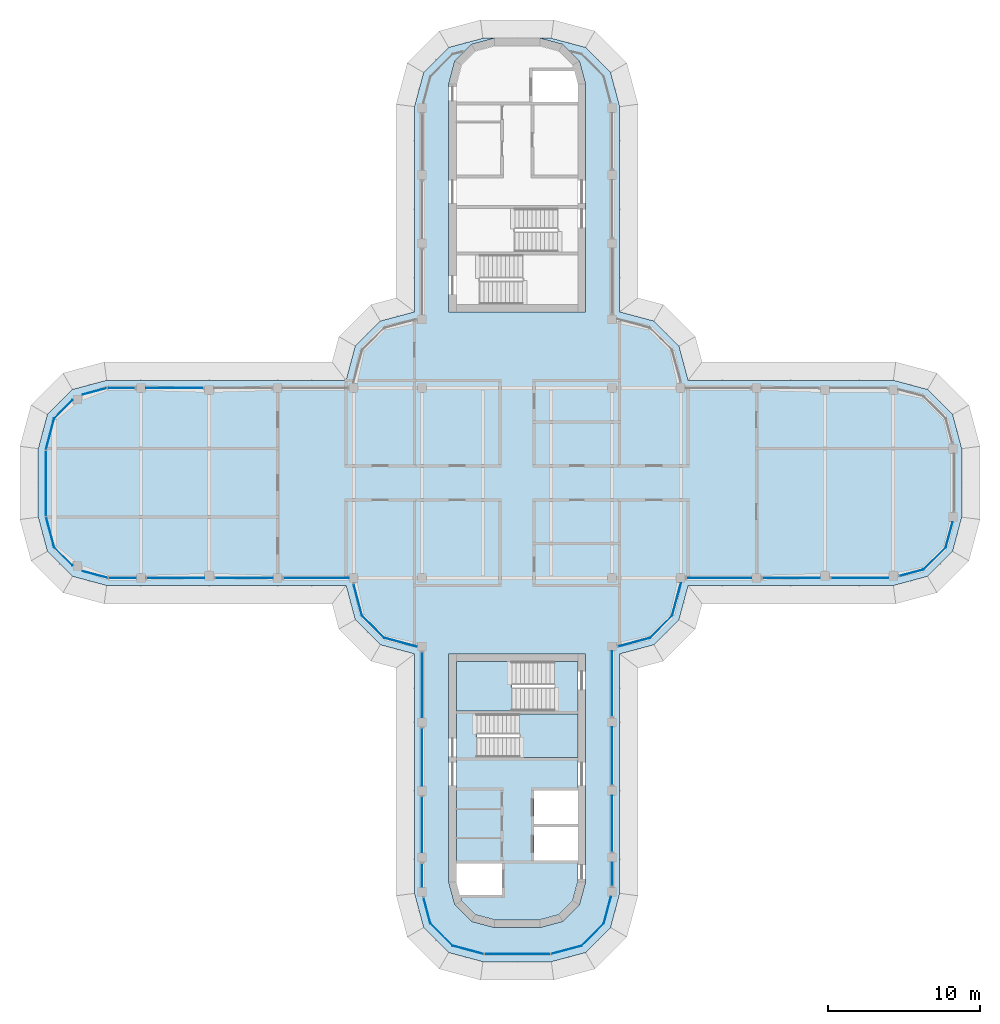
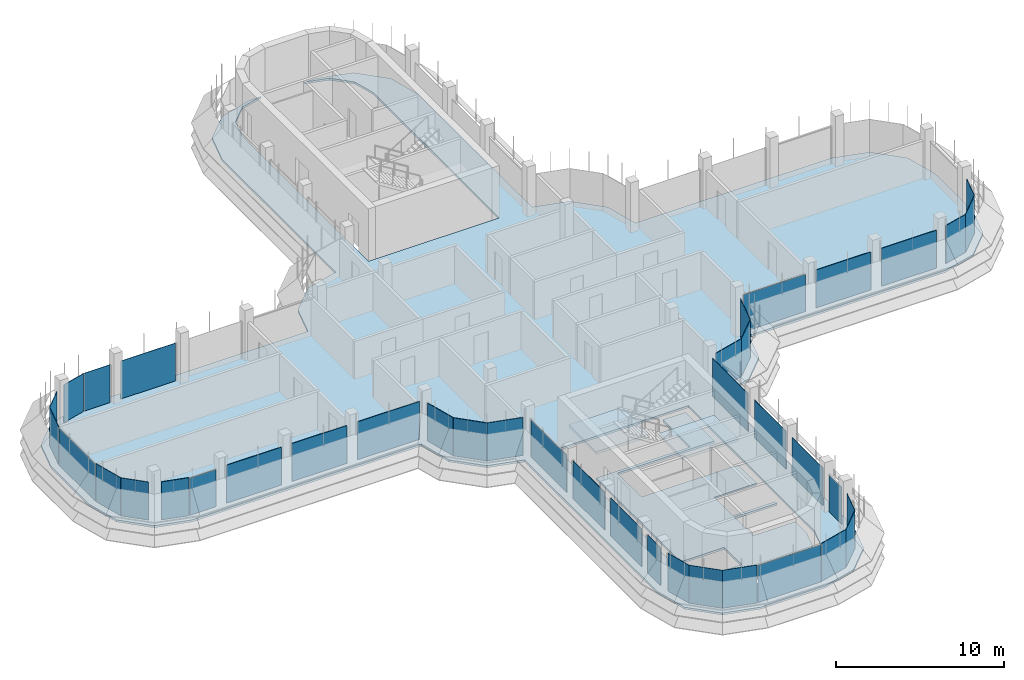
# One storey, part 11 of 19: 40 plates, 4 slabs, 30 elements without a shape of their own.
"""IFC4 building model written with IfcOpenShell, lengths in metres."""

from ifc_helpers import new_model, si_unit, direction, frame, origin, place, context, subcontext, project, spatial, polyline, outline, extrude, source, transform, mapped, material, layer, layer_set, type_object, element, aggregate, save


model = new_model("IFC4")

# Units and contexts
model_context = context("Model", 3, precision=1e-05, world=origin(), true_north=direction((0.0, 1.0)))
body_context = subcontext(model_context, "Body", "Model", "MODEL_VIEW")
ifc_project = project(units=[si_unit("LENGTHUNIT", "METRE"), si_unit("AREAUNIT", "SQUARE_METRE"), si_unit("VOLUMEUNIT", "CUBIC_METRE"), si_unit("PLANEANGLEUNIT", "RADIAN"), si_unit("MASSUNIT", "GRAM", prefix="KILO")], contexts=[model_context])

# Site, building, storey
site_placement = place(None, origin())
site = spatial("IfcSite", under=ifc_project, at=site_placement, CompositionType="ELEMENT")
building_placement = place(site_placement, origin())
building = spatial("IfcBuilding", under=site, at=building_placement, Name="Zarbagh Exchange Tower", CompositionType="ELEMENT")
storey_placement = place(building_placement, frame((0.0, 0.0, 272.60009765625)))
storey = spatial("IfcBuildingStorey", under=building, at=storey_placement, Name="L67", CompositionType="ELEMENT", Elevation=272.60009765625)

# Slabs
ifc_material_1 = material(Name="Concrete C40/50", Category="concrete")
ifc_layer_1 = layer(ifc_material_1, 0.14990234375)
ifc_layer_set_1 = layer_set([ifc_layer_1], Name="Composite floor slab 150 C40/50")
slab_type_1 = type_object("IfcSlabType", Name="Composite floor slab 150 C40/50", PredefinedType="FLOOR", material=ifc_layer_set_1)
slab_1_placement = place(storey_placement, frame((0.0, 0.0, -0.150146484375)))
element("IfcSlab", 1, at=slab_1_placement, inside=storey, type_object=slab_type_1, Name="S5 composite floor slab", PredefinedType="FLOOR", context=body_context, shape_type="SweptSolid", body=[
    extrude(outline(polyline([(-2.25, -31.5), (-4.5, -30.897216796875), (-6.147216796875, -29.25), (-6.75, -27.0), (-6.75, -11.25), (-9.0, -10.647216796875), (-10.647216796875, -9.0), (-11.25, -6.75), (-27.0, -6.75), (-29.25, -6.147216796875), (-30.897216796875, -4.5), (-31.5, -2.25), (-31.5, 2.25), (-30.897216796875, 4.5), (-29.25, 6.147216796875), (-27.0, 6.75), (-11.25, 6.75), (-10.647216796875, 9.0), (-9.0, 10.647216796875), (-6.75, 11.25), (-6.75, 24.75), (-6.147216796875, 27.0), (-4.5, 28.647216796875), (-2.25, 29.25), (-1.5, 29.25), (-3.0, 28.84814453125), (-4.09814453125, 27.75), (-4.5, 26.25), (-4.5, 11.25), (4.5, 11.25), (4.5, 26.25), (4.09814453125, 27.75), (3.0, 28.84814453125), (1.5, 29.25), (2.25, 29.25), (4.5, 28.647216796875), (6.147216796875, 27.0), (6.75, 24.75), (6.75, 11.25), (9.0, 10.647216796875), (10.647216796875, 9.0), (11.25, 6.75), (24.75, 6.75), (27.0, 6.147216796875), (28.647216796875, 4.5), (29.25, 2.25), (29.25, -2.25), (28.647216796875, -4.5), (27.0, -6.147216796875), (24.75, -6.75), (11.25, -6.75), (10.647216796875, -9.0), (9.0, -10.647216796875), (6.75, -11.25), (6.75, -27.0), (6.147216796875, -29.25), (4.5, -30.897216796875), (2.25, -31.5), (-2.25, -31.5)]), holes=[polyline([(-1.5, -29.25), (1.5, -29.25), (3.0, -28.84814453125), (4.09814453125, -27.75), (4.5, -26.25), (4.5, -11.25), (-4.5, -11.25), (-4.5, -26.25), (-4.09814453125, -27.75), (-3.0, -28.84814453125), (-1.5, -29.25)])]), origin(), (0.0, 0.0, 1.0), 0.150146484375),
])
ifc_layer_2 = layer(ifc_material_1, 0.14990234375)
ifc_layer_set_2 = layer_set([ifc_layer_2], Name="Core floor slab 150 C40/50")
slab_type_2 = type_object("IfcSlabType", Name="Core floor slab 150 C40/50", PredefinedType="FLOOR", material=ifc_layer_set_2)
slab_2_placement = place(storey_placement, frame((0.0, 0.0, -0.150146484375)))
element("IfcSlab", 2, at=slab_2_placement, inside=storey, type_object=slab_type_2, Name="S17 core S", PredefinedType="FLOOR", context=body_context, shape_type="SweptSolid", body=[
    extrude(outline(polyline([(-2.7412109375, -28.39990234375), (-3.64990234375, -27.4912109375), (-3.857666015625, -26.715087890625), (-3.754638671875, -27.10009765625), (-1.0, -27.10009765625), (-1.0, -25.050048828125), (-4.0, -25.050048828125), (-4.0, -15.0), (2.449951171875, -15.0), (2.449951171875, -11.75), (4.0, -11.75), (4.0, -15.199951171875), (-2.64990234375, -15.199951171875), (-2.64990234375, -18.050048828125), (4.0, -18.050048828125), (4.0, -20.25), (1.10009765625, -20.25), (1.10009765625, -22.449951171875), (4.0, -22.449951171875), (4.0, -22.64990234375), (1.10009765625, -22.64990234375), (1.10009765625, -24.85009765625), (4.0, -24.85009765625), (4.0, -26.18408203125), (3.64990234375, -27.4912109375), (2.7412109375, -28.39990234375), (1.43408203125, -28.75), (-1.43408203125, -28.75), (-2.7412109375, -28.39990234375)])), origin(), (0.0, 0.0, 1.0), 0.150146484375),
])

# Stair, slab
stair_type = type_object("IfcStairType", Name="Exit stair two-flight half-turn", PredefinedType="HALF_TURN_STAIR", material=ifc_material_1)
stair_1_placement = place(storey_placement, origin())
stair_1 = element("IfcStair", 3, at=stair_1_placement, inside=storey, type_object=stair_type, Name="exit stair ST3", PredefinedType="HALF_TURN_STAIR")
ifc_layer_3 = layer(ifc_material_1, 0.199951171875)
ifc_layer_set_3 = layer_set([ifc_layer_3], Name="Stair landing 200 mm")
slab_type_3 = type_object("IfcSlabType", Name="Stair landing 200 mm", PredefinedType="LANDING", material=ifc_layer_set_3)
slab_3_placement = place(storey_placement, frame((0.0, 0.0, 1.699951171875)))
slab_3 = element("IfcSlab", 4, at=slab_3_placement, type_object=slab_type_3, Name="ST3 landing 1", PredefinedType="LANDING", context=body_context, shape_type="SweptSolid", body=[
    extrude(outline(polyline([(0.14990234375, -18.050048828125), (4.0, -18.050048828125), (4.0, -15.199951171875), (0.14990234375, -15.199951171875), (0.14990234375, -18.050048828125)])), origin(), (0.0, 0.0, 1.0), 0.199951171875),
])
aggregate(stair_1, [slab_3])

stair_2_placement = place(storey_placement, origin())
stair_2 = element("IfcStair", 5, at=stair_2_placement, inside=storey, type_object=stair_type, Name="exit stair ST4", PredefinedType="HALF_TURN_STAIR")
slab_4_placement = place(storey_placement, frame((0.0, 0.0, 1.699951171875)))
slab_4 = element("IfcSlab", 6, at=slab_4_placement, type_object=slab_type_3, Name="ST4 landing 1", PredefinedType="LANDING", context=body_context, shape_type="SweptSolid", body=[
    extrude(outline(polyline([(-0.35009765625, -11.75), (-4.0, -11.75), (-4.0, -15.0), (-0.35009765625, -15.0), (-0.35009765625, -11.75)])), origin(), (0.0, 0.0, 1.0), 0.199951171875),
])
aggregate(stair_2, [slab_4])

# Curtain wall, plate
ifc_material_2 = material(Name="Anodised aluminium frame and glazing", Category="aluminium")
curtain_wall_type = type_object("IfcCurtainWallType", Name="CWB Ribbon glazing, upper zones", PredefinedType="NOTDEFINED", material=ifc_material_2)
curtain_wall_1_placement = place(storey_placement, origin())
curtain_wall_1 = element("IfcCurtainWall", 7, at=curtain_wall_1_placement, inside=storey, type_object=curtain_wall_type, Name="CWB50 curtain wall", PredefinedType="NOTDEFINED")
ifc_material_3 = material(Name="Low-e double glazed unit, 6+12+6 mm")
ifc_layer_4 = layer(ifc_material_3, 0.031982421875)
ifc_layer_set_4 = layer_set([ifc_layer_4], Name="PAB Glazing panel, Low-e double glazed unit, 6+12+6 mm")
plate_type = type_object("IfcPlateType", Name="PAB Glazing panel, Low-e double glazed unit, 6+12+6 mm", PredefinedType="CURTAIN_PANEL", material=ifc_layer_set_4)
shared_shape_1 = source(origin(), body_context, "Body", "SweptSolid", [
    extrude(outline(polyline([(0.0, -0.01611328125), (2.061279296875, -0.01611328125), (2.061279296875, 0.01611328125), (0.0, 0.01611328125), (0.0, -0.01611328125)])), origin(), (0.0, 0.0, 1.0), 2.75),
])
placement = place(storey_placement, origin())
plate_1 = element("IfcPlate", 8, at=placement, type_object=plate_type, Name="CWB50 glazing panel 1.1", PredefinedType="CURTAIN_PANEL", context=body_context, shape_type="MappedRepresentation", body=[
    mapped(shared_shape_1, transform((4.2412109375, -30.44873046875, 0.0), x_axis=(0.707106781187, 0.707106781187, 0.0), y_axis=(-0.707106781187, 0.707106781187, 0.0), z_axis=(0.0, 0.0, 1.0))),
])
aggregate(curtain_wall_1, [plate_1])

curtain_wall_2_placement = place(storey_placement, origin())
curtain_wall_2 = element("IfcCurtainWall", 9, at=curtain_wall_2_placement, inside=storey, type_object=curtain_wall_type, Name="CWB06 curtain wall", PredefinedType="NOTDEFINED")
plate_2 = element("IfcPlate", 10, at=placement, type_object=plate_type, Name="CWB06 glazing panel 1.1", PredefinedType="CURTAIN_PANEL", context=body_context, shape_type="MappedRepresentation", body=[
    mapped(shared_shape_1, transform((8.7412109375, -10.19873046875, 0.0), x_axis=(0.707106781187, 0.707106781187, 0.0), y_axis=(-0.707106781187, 0.707106781187, 0.0), z_axis=(0.0, 0.0, 1.0))),
])
aggregate(curtain_wall_2, [plate_2])

curtain_wall_3_placement = place(storey_placement, origin())
curtain_wall_3 = element("IfcCurtainWall", 11, at=curtain_wall_3_placement, inside=storey, type_object=curtain_wall_type, Name="CWB77 curtain wall", PredefinedType="NOTDEFINED")
plate_3 = element("IfcPlate", 12, at=placement, type_object=plate_type, Name="CWB77 glazing panel 1.1", PredefinedType="CURTAIN_PANEL", context=body_context, shape_type="MappedRepresentation", body=[
    mapped(shared_shape_1, transform((26.7412109375, -5.69873046875, 0.0), x_axis=(0.707106781187, 0.707106781187, 0.0), y_axis=(-0.707106781187, 0.707106781187, 0.0), z_axis=(0.0, 0.0, 1.0))),
])
aggregate(curtain_wall_3, [plate_3])

curtain_wall_4_placement = place(storey_placement, origin())
curtain_wall_4 = element("IfcCurtainWall", 13, at=curtain_wall_4_placement, inside=storey, type_object=curtain_wall_type, Name="CWB42 curtain wall", PredefinedType="NOTDEFINED")
plate_4 = element("IfcPlate", 14, at=placement, type_object=plate_type, Name="CWB42 glazing panel 1.1", PredefinedType="CURTAIN_PANEL", context=body_context, shape_type="MappedRepresentation", body=[
    mapped(shared_shape_1, transform((-10.19873046875, -8.7412109375, 0.0), x_axis=(0.707106781187, -0.707106781187, 0.0), y_axis=(0.707106781187, 0.707106781187, 0.0), z_axis=(0.0, 0.0, 1.0))),
])
aggregate(curtain_wall_4, [plate_4])

curtain_wall_5_placement = place(storey_placement, origin())
curtain_wall_5 = element("IfcCurtainWall", 15, at=curtain_wall_5_placement, inside=storey, type_object=curtain_wall_type, Name="CWB55 curtain wall", PredefinedType="NOTDEFINED")
plate_5 = element("IfcPlate", 16, at=placement, type_object=plate_type, Name="CWB55 glazing panel 1.1", PredefinedType="CURTAIN_PANEL", context=body_context, shape_type="MappedRepresentation", body=[
    mapped(shared_shape_1, transform((-5.69873046875, -28.9912109375, 0.0), x_axis=(0.707106781187, -0.707106781187, 0.0), y_axis=(0.707106781187, 0.707106781187, 0.0), z_axis=(0.0, 0.0, 1.0))),
])
aggregate(curtain_wall_5, [plate_5])

curtain_wall_6_placement = place(storey_placement, origin())
curtain_wall_6 = element("IfcCurtainWall", 17, at=curtain_wall_6_placement, inside=storey, type_object=curtain_wall_type, Name="CWB61 curtain wall", PredefinedType="NOTDEFINED")
shared_shape_2 = source(origin(), body_context, "Body", "SweptSolid", [
    extrude(outline(polyline([(0.0, -0.01611328125), (2.129638671875, -0.01611328125), (2.129638671875, 0.01611328125), (0.0, 0.01611328125), (0.0, -0.01611328125)])), origin(), (0.0, 0.0, 1.0), 2.75),
])
plate_6 = element("IfcPlate", 18, at=placement, type_object=plate_type, Name="CWB61 glazing panel 1.1", PredefinedType="CURTAIN_PANEL", context=body_context, shape_type="MappedRepresentation", body=[
    mapped(shared_shape_2, transform((-30.44873046875, 4.2412109375, 0.0), x_axis=(-0.258824779902, -0.965924289636, 0.0), y_axis=(0.965924289636, -0.258824779902, 0.0), z_axis=(0.0, 0.0, 1.0))),
])
aggregate(curtain_wall_6, [plate_6])

curtain_wall_7_placement = place(storey_placement, origin())
curtain_wall_7 = element("IfcCurtainWall", 19, at=curtain_wall_7_placement, inside=storey, type_object=curtain_wall_type, Name="CWB56 curtain wall", PredefinedType="NOTDEFINED")
plate_7 = element("IfcPlate", 20, at=placement, type_object=plate_type, Name="CWB56 glazing panel 1.1", PredefinedType="CURTAIN_PANEL", context=body_context, shape_type="MappedRepresentation", body=[
    mapped(shared_shape_2, transform((-4.2412109375, -30.44873046875, 0.0), x_axis=(0.965924289636, -0.258824779902, 0.0), y_axis=(0.258824779902, 0.965924289636, 0.0), z_axis=(0.0, 0.0, 1.0))),
])
aggregate(curtain_wall_7, [plate_7])

curtain_wall_8_placement = place(storey_placement, origin())
curtain_wall_8 = element("IfcCurtainWall", 21, at=curtain_wall_8_placement, inside=storey, type_object=curtain_wall_type, Name="CWB65 curtain wall", PredefinedType="NOTDEFINED")
shared_shape_3 = source(origin(), body_context, "Body", "SweptSolid", [
    extrude(outline(polyline([(0.0, -0.01611328125), (1.7841796875, -0.01611328125), (1.7841796875, 0.01611328125), (0.0, 0.01611328125), (0.0, -0.01611328125)])), origin(), (0.0, 0.0, 1.0), 2.68994140625),
])
plate_8 = element("IfcPlate", 22, at=placement, type_object=plate_type, Name="CWB65 glazing panel 1.1", PredefinedType="CURTAIN_PANEL", context=body_context, shape_type="MappedRepresentation", body=[
    mapped(shared_shape_3, transform((-26.874267578125, -6.25, 0.0), x_axis=(1.0, 0.0, 0.0), y_axis=(0.0, 1.0, 0.0), z_axis=(0.0, 0.0, 1.0))),
])

curtain_wall_9_placement = place(storey_placement, origin())
curtain_wall_9 = element("IfcCurtainWall", 23, at=curtain_wall_9_placement, inside=storey, type_object=curtain_wall_type, Name="CWB66 curtain wall", PredefinedType="NOTDEFINED")
shared_shape_4 = source(origin(), body_context, "Body", "SweptSolid", [
    extrude(outline(polyline([(0.0, -0.01611328125), (4.308349609375, -0.01611328125), (4.308349609375, 0.01611328125), (0.0, 0.01611328125), (0.0, -0.01611328125)])), origin(), (0.0, 0.0, 1.0), 2.68994140625),
])
plate_9 = element("IfcPlate", 24, at=placement, type_object=plate_type, Name="CWB66 glazing panel 1.1", PredefinedType="CURTAIN_PANEL", context=body_context, shape_type="MappedRepresentation", body=[
    mapped(shared_shape_4, transform((-31.0, 2.124267578125, 0.0), x_axis=(0.0, -1.0, 0.0), y_axis=(1.0, 0.0, 0.0), z_axis=(0.0, 0.0, 1.0))),
])
aggregate(curtain_wall_9, [plate_9])

curtain_wall_10_placement = place(storey_placement, origin())
curtain_wall_10 = element("IfcCurtainWall", 25, at=curtain_wall_10_placement, inside=storey, type_object=curtain_wall_type, Name="CWB57 curtain wall", PredefinedType="NOTDEFINED")
plate_10 = element("IfcPlate", 26, at=placement, type_object=plate_type, Name="CWB57 glazing panel 1.1", PredefinedType="CURTAIN_PANEL", context=body_context, shape_type="MappedRepresentation", body=[
    mapped(shared_shape_4, transform((-2.124267578125, -31.0, 0.0), x_axis=(1.0, 0.0, 0.0), y_axis=(0.0, 1.0, 0.0), z_axis=(0.0, 0.0, 1.0))),
])
aggregate(curtain_wall_10, [plate_10])

curtain_wall_11_placement = place(storey_placement, origin())
curtain_wall_11 = element("IfcCurtainWall", 27, at=curtain_wall_11_placement, inside=storey, type_object=curtain_wall_type, Name="CWB49 curtain wall", PredefinedType="NOTDEFINED")
shared_shape_5 = source(origin(), body_context, "Body", "SweptSolid", [
    extrude(outline(polyline([(0.0, -0.01611328125), (2.069580078125, -0.01611328125), (2.069580078125, 0.01611328125), (0.0, 0.01611328125), (0.0, -0.01611328125)])), origin(), (0.0, 0.0, 1.0), 2.75),
])
plate_11 = element("IfcPlate", 28, at=placement, type_object=plate_type, Name="CWB49 glazing panel 1.1", PredefinedType="CURTAIN_PANEL", context=body_context, shape_type="MappedRepresentation", body=[
    mapped(shared_shape_5, transform((2.2421875, -30.984375, 0.0), x_axis=(0.965924289636, 0.258824779902, 0.0), y_axis=(-0.258824779902, 0.965924289636, 0.0), z_axis=(0.0, 0.0, 1.0))),
])
aggregate(curtain_wall_11, [plate_11])

curtain_wall_12_placement = place(storey_placement, origin())
curtain_wall_12 = element("IfcCurtainWall", 29, at=curtain_wall_12_placement, inside=storey, type_object=curtain_wall_type, Name="CWB62 curtain wall", PredefinedType="NOTDEFINED")
plate_12 = element("IfcPlate", 30, at=placement, type_object=plate_type, Name="CWB62 glazing panel 1.1", PredefinedType="CURTAIN_PANEL", context=body_context, shape_type="MappedRepresentation", body=[
    mapped(shared_shape_5, transform((-30.984375, -2.2421875, 0.0), x_axis=(0.258824779902, -0.965924289636, 0.0), y_axis=(0.965924289636, 0.258824779902, 0.0), z_axis=(0.0, 0.0, 1.0))),
])
aggregate(curtain_wall_12, [plate_12])

curtain_wall_13_placement = place(storey_placement, origin())
curtain_wall_13 = element("IfcCurtainWall", 31, at=curtain_wall_13_placement, inside=storey, type_object=curtain_wall_type, Name="CWB58 curtain wall", PredefinedType="NOTDEFINED")
shared_shape_6 = source(origin(), body_context, "Body", "SweptSolid", [
    extrude(outline(polyline([(0.0, -0.01611328125), (1.7841796875, -0.01611328125), (1.7841796875, 0.01611328125), (0.0, 0.01611328125), (0.0, -0.01611328125)])), origin(), (0.0, 0.0, 1.0), 2.75),
])
plate_13 = element("IfcPlate", 32, at=placement, type_object=plate_type, Name="CWB58 glazing panel 4.1", PredefinedType="CURTAIN_PANEL", context=body_context, shape_type="MappedRepresentation", body=[
    mapped(shared_shape_6, transform((-25.150146484375, 6.25, 0.0), x_axis=(-1.0, 0.0, 0.0), y_axis=(0.0, -1.0, 0.0), z_axis=(0.0, 0.0, 1.0))),
])

curtain_wall_14_placement = place(storey_placement, origin())
curtain_wall_14 = element("IfcCurtainWall", 33, at=curtain_wall_14_placement, inside=storey, type_object=curtain_wall_type, Name="CWB78 curtain wall", PredefinedType="NOTDEFINED")
shared_shape_7 = source(origin(), body_context, "Body", "SweptSolid", [
    extrude(outline(polyline([(0.0, -0.01611328125), (1.70947265625, -0.01611328125), (1.70947265625, 0.01611328125), (0.0, 0.01611328125), (0.0, -0.01611328125)])), origin(), (0.0, 0.0, 1.0), 2.75),
])
plate_14 = element("IfcPlate", 34, at=placement, type_object=plate_type, Name="CWB78 glazing panel 1.1", PredefinedType="CURTAIN_PANEL", context=body_context, shape_type="MappedRepresentation", body=[
    mapped(shared_shape_7, transform((28.19873046875, -4.2412109375, 0.0), x_axis=(0.258824779902, 0.965924289636, 0.0), y_axis=(-0.965924289636, 0.258824779902, 0.0), z_axis=(0.0, 0.0, 1.0))),
])
aggregate(curtain_wall_14, [plate_14])

curtain_wall_15_placement = place(storey_placement, origin())
curtain_wall_15 = element("IfcCurtainWall", 35, at=curtain_wall_15_placement, inside=storey, type_object=curtain_wall_type, Name="CWB76 curtain wall", PredefinedType="NOTDEFINED")
shared_shape_8 = source(origin(), body_context, "Body", "SweptSolid", [
    extrude(outline(polyline([(0.0, -0.01611328125), (1.6494140625, -0.01611328125), (1.6494140625, 0.01611328125), (0.0, 0.01611328125), (0.0, -0.01611328125)])), origin(), (0.0, 0.0, 1.0), 2.75),
])
plate_15 = element("IfcPlate", 36, at=placement, type_object=plate_type, Name="CWB76 glazing panel 1.1", PredefinedType="CURTAIN_PANEL", context=body_context, shape_type="MappedRepresentation", body=[
    mapped(shared_shape_8, transform((25.14794921875, -6.125732421875, 0.0), x_axis=(0.965924289636, 0.258824779902, 0.0), y_axis=(-0.258824779902, 0.965924289636, 0.0), z_axis=(0.0, 0.0, 1.0))),
])
aggregate(curtain_wall_15, [plate_15])

curtain_wall_16_placement = place(storey_placement, origin())
curtain_wall_16 = element("IfcCurtainWall", 37, at=curtain_wall_16_placement, inside=storey, type_object=curtain_wall_type, Name="CWB52 curtain wall", PredefinedType="NOTDEFINED")
shared_shape_9 = source(origin(), body_context, "Body", "SweptSolid", [
    extrude(outline(polyline([(0.0, -0.01611328125), (3.659912109375, -0.01611328125), (3.659912109375, 0.01611328125), (0.0, 0.01611328125), (0.0, -0.01611328125)])), origin(), (0.0, 0.0, 1.0), 2.75),
])
plate_16 = element("IfcPlate", 38, at=placement, type_object=plate_type, Name="CWB52 glazing panel 2.1", PredefinedType="CURTAIN_PANEL", context=body_context, shape_type="MappedRepresentation", body=[
    mapped(shared_shape_9, transform((6.25, -24.25, 0.0), x_axis=(0.0, 1.0, 0.0), y_axis=(-1.0, 0.0, 0.0), z_axis=(0.0, 0.0, 1.0))),
])

curtain_wall_17_placement = place(storey_placement, origin())
curtain_wall_17 = element("IfcCurtainWall", 39, at=curtain_wall_17_placement, inside=storey, type_object=curtain_wall_type, Name="CWB53 curtain wall", PredefinedType="NOTDEFINED")
plate_17 = element("IfcPlate", 40, at=placement, type_object=plate_type, Name="CWB53 glazing panel 3.1", PredefinedType="CURTAIN_PANEL", context=body_context, shape_type="MappedRepresentation", body=[
    mapped(shared_shape_9, transform((-6.25, -20.650146484375, 0.0), x_axis=(0.0, -1.0, 0.0), y_axis=(1.0, 0.0, 0.0), z_axis=(0.0, 0.0, 1.0))),
])

curtain_wall_18_placement = place(storey_placement, origin())
curtain_wall_18 = element("IfcCurtainWall", 41, at=curtain_wall_18_placement, inside=storey, type_object=curtain_wall_type, Name="CWB51 curtain wall", PredefinedType="NOTDEFINED")
shared_shape_10 = source(origin(), body_context, "Body", "SweptSolid", [
    extrude(outline(polyline([(0.0, -0.01611328125), (1.81298828125, -0.01611328125), (1.81298828125, 0.01611328125), (0.0, 0.01611328125), (0.0, -0.01611328125)])), origin(), (0.0, 0.0, 1.0), 2.75),
])
plate_18 = element("IfcPlate", 42, at=placement, type_object=plate_type, Name="CWB51 glazing panel 1.1", PredefinedType="CURTAIN_PANEL", context=body_context, shape_type="MappedRepresentation", body=[
    mapped(shared_shape_10, transform((5.69873046875, -28.9912109375, 0.0), x_axis=(0.258824779902, 0.965924289636, 0.0), y_axis=(-0.965924289636, 0.258824779902, 0.0), z_axis=(0.0, 0.0, 1.0))),
])
aggregate(curtain_wall_18, [plate_18])

# Plate
shared_shape_11 = source(origin(), body_context, "Body", "SweptSolid", [
    extrude(outline(polyline([(0.0, -0.01611328125), (1.510009765625, -0.01611328125), (1.510009765625, 0.01611328125), (0.0, 0.01611328125), (0.0, -0.01611328125)])), origin(), (0.0, 0.0, 1.0), 2.68994140625),
])
plate_19 = element("IfcPlate", 43, at=placement, type_object=plate_type, Name="CWB52 glazing panel 1.1", PredefinedType="CURTAIN_PANEL", context=body_context, shape_type="MappedRepresentation", body=[
    mapped(shared_shape_11, transform((6.25, -26.5, 0.0), x_axis=(0.0, 1.0, 0.0), y_axis=(-1.0, 0.0, 0.0), z_axis=(0.0, 0.0, 1.0))),
])

shared_shape_12 = source(origin(), body_context, "Body", "SweptSolid", [
    extrude(outline(polyline([(0.0, -0.01611328125), (3.760009765625, -0.01611328125), (3.760009765625, 0.01611328125), (0.0, 0.01611328125), (0.0, -0.01611328125)])), origin(), (0.0, 0.0, 1.0), 2.75),
])
plate_20 = element("IfcPlate", 44, at=placement, type_object=plate_type, Name="CWB52 glazing panel 3.1", PredefinedType="CURTAIN_PANEL", context=body_context, shape_type="MappedRepresentation", body=[
    mapped(shared_shape_12, transform((6.25, -19.849853515625, 0.0), x_axis=(0.0, 1.0, 0.0), y_axis=(-1.0, 0.0, 0.0), z_axis=(0.0, 0.0, 1.0))),
])

# Curtain wall, plates
curtain_wall_19_placement = place(storey_placement, origin())
curtain_wall_19 = element("IfcCurtainWall", 45, at=curtain_wall_19_placement, inside=storey, type_object=curtain_wall_type, Name="CWB75 curtain wall", PredefinedType="NOTDEFINED")
plate_21 = element("IfcPlate", 46, at=placement, type_object=plate_type, Name="CWB75 glazing panel 2.1", PredefinedType="CURTAIN_PANEL", context=body_context, shape_type="MappedRepresentation", body=[
    mapped(shared_shape_12, transform((16.150146484375, -6.25, 0.0), x_axis=(1.0, 0.0, 0.0), y_axis=(0.0, 1.0, 0.0), z_axis=(0.0, 0.0, 1.0))),
])
plate_22 = element("IfcPlate", 47, at=placement, type_object=plate_type, Name="CWB75 glazing panel 3.1", PredefinedType="CURTAIN_PANEL", context=body_context, shape_type="MappedRepresentation", body=[
    mapped(shared_shape_12, transform((20.650146484375, -6.25, 0.0), x_axis=(1.0, 0.0, 0.0), y_axis=(0.0, 1.0, 0.0), z_axis=(0.0, 0.0, 1.0))),
])

# Plate
plate_23 = element("IfcPlate", 48, at=placement, type_object=plate_type, Name="CWB58 glazing panel 3.1", PredefinedType="CURTAIN_PANEL", context=body_context, shape_type="MappedRepresentation", body=[
    mapped(shared_shape_12, transform((-20.650146484375, 6.25, 0.0), x_axis=(-1.0, 0.0, 0.0), y_axis=(0.0, -1.0, 0.0), z_axis=(0.0, 0.0, 1.0))),
])

aggregate(curtain_wall_13, [plate_23, plate_13])

plate_24 = element("IfcPlate", 49, at=placement, type_object=plate_type, Name="CWB65 glazing panel 2.1", PredefinedType="CURTAIN_PANEL", context=body_context, shape_type="MappedRepresentation", body=[
    mapped(shared_shape_12, transform((-24.349853515625, -6.25, 0.0), x_axis=(1.0, 0.0, 0.0), y_axis=(0.0, 1.0, 0.0), z_axis=(0.0, 0.0, 1.0))),
])

plate_25 = element("IfcPlate", 50, at=placement, type_object=plate_type, Name="CWB65 glazing panel 3.1", PredefinedType="CURTAIN_PANEL", context=body_context, shape_type="MappedRepresentation", body=[
    mapped(shared_shape_12, transform((-19.849853515625, -6.25, 0.0), x_axis=(1.0, 0.0, 0.0), y_axis=(0.0, 1.0, 0.0), z_axis=(0.0, 0.0, 1.0))),
])

plate_26 = element("IfcPlate", 51, at=placement, type_object=plate_type, Name="CWB53 glazing panel 2.1", PredefinedType="CURTAIN_PANEL", context=body_context, shape_type="MappedRepresentation", body=[
    mapped(shared_shape_12, transform((-6.25, -16.150146484375, 0.0), x_axis=(0.0, -1.0, 0.0), y_axis=(1.0, 0.0, 0.0), z_axis=(0.0, 0.0, 1.0))),
])

shared_shape_13 = source(origin(), body_context, "Body", "SweptSolid", [
    extrude(outline(polyline([(0.0, -0.01611328125), (4.260009765625, -0.01611328125), (4.260009765625, 0.01611328125), (0.0, 0.01611328125), (0.0, -0.01611328125)])), origin(), (0.0, 0.0, 1.0), 2.75),
])
plate_27 = element("IfcPlate", 52, at=placement, type_object=plate_type, Name="CWB52 glazing panel 4.1", PredefinedType="CURTAIN_PANEL", context=body_context, shape_type="MappedRepresentation", body=[
    mapped(shared_shape_13, transform((6.25, -15.349853515625, 0.0), x_axis=(0.0, 1.0, 0.0), y_axis=(-1.0, 0.0, 0.0), z_axis=(0.0, 0.0, 1.0))),
])

aggregate(curtain_wall_16, [plate_19, plate_16, plate_20, plate_27])

plate_28 = element("IfcPlate", 53, at=placement, type_object=plate_type, Name="CWB65 glazing panel 4.1", PredefinedType="CURTAIN_PANEL", context=body_context, shape_type="MappedRepresentation", body=[
    mapped(shared_shape_13, transform((-15.349853515625, -6.25, 0.0), x_axis=(1.0, 0.0, 0.0), y_axis=(0.0, 1.0, 0.0), z_axis=(0.0, 0.0, 1.0))),
])

aggregate(curtain_wall_8, [plate_8, plate_24, plate_25, plate_28])

# Curtain wall, plate
curtain_wall_20_placement = place(storey_placement, origin())
curtain_wall_20 = element("IfcCurtainWall", 54, at=curtain_wall_20_placement, inside=storey, type_object=curtain_wall_type, Name="CWB05 curtain wall", PredefinedType="NOTDEFINED")
shared_shape_14 = source(origin(), body_context, "Body", "SweptSolid", [
    extrude(outline(polyline([(0.0, -0.01611328125), (2.1669921875, -0.01611328125), (2.1669921875, 0.01611328125), (0.0, 0.01611328125), (0.0, -0.01611328125)])), origin(), (0.0, 0.0, 1.0), 2.75),
])
plate_29 = element("IfcPlate", 55, at=placement, type_object=plate_type, Name="CWB05 glazing panel 1.1", PredefinedType="CURTAIN_PANEL", context=body_context, shape_type="MappedRepresentation", body=[
    mapped(shared_shape_14, transform((6.64794921875, -10.759765625, 0.0), x_axis=(0.965924289636, 0.258824779902, 0.0), y_axis=(-0.258824779902, 0.965924289636, 0.0), z_axis=(0.0, 0.0, 1.0))),
])
aggregate(curtain_wall_20, [plate_29])

curtain_wall_21_placement = place(storey_placement, origin())
curtain_wall_21 = element("IfcCurtainWall", 56, at=curtain_wall_21_placement, inside=storey, type_object=curtain_wall_type, Name="CWB41 curtain wall", PredefinedType="NOTDEFINED")
plate_30 = element("IfcPlate", 57, at=placement, type_object=plate_type, Name="CWB41 glazing panel 1.1", PredefinedType="CURTAIN_PANEL", context=body_context, shape_type="MappedRepresentation", body=[
    mapped(shared_shape_14, transform((-10.759765625, -6.64794921875, 0.0), x_axis=(0.258824779902, -0.965924289636, 0.0), y_axis=(0.965924289636, 0.258824779902, 0.0), z_axis=(0.0, 0.0, 1.0))),
])
aggregate(curtain_wall_21, [plate_30])

curtain_wall_22_placement = place(storey_placement, origin())
curtain_wall_22 = element("IfcCurtainWall", 58, at=curtain_wall_22_placement, inside=storey, type_object=curtain_wall_type, Name="CWB07 curtain wall", PredefinedType="NOTDEFINED")
shared_shape_15 = source(origin(), body_context, "Body", "SweptSolid", [
    extrude(outline(polyline([(0.0, -0.01611328125), (2.22705078125, -0.01611328125), (2.22705078125, 0.01611328125), (0.0, 0.01611328125), (0.0, -0.01611328125)])), origin(), (0.0, 0.0, 1.0), 2.75),
])
plate_31 = element("IfcPlate", 59, at=placement, type_object=plate_type, Name="CWB07 glazing panel 1.1", PredefinedType="CURTAIN_PANEL", context=body_context, shape_type="MappedRepresentation", body=[
    mapped(shared_shape_15, transform((10.19873046875, -8.7412109375, 0.0), x_axis=(0.258824779902, 0.965924289636, 0.0), y_axis=(-0.965924289636, 0.258824779902, 0.0), z_axis=(0.0, 0.0, 1.0))),
])
aggregate(curtain_wall_22, [plate_31])

curtain_wall_23_placement = place(storey_placement, origin())
curtain_wall_23 = element("IfcCurtainWall", 60, at=curtain_wall_23_placement, inside=storey, type_object=curtain_wall_type, Name="CWB43 curtain wall", PredefinedType="NOTDEFINED")
plate_32 = element("IfcPlate", 61, at=placement, type_object=plate_type, Name="CWB43 glazing panel 1.1", PredefinedType="CURTAIN_PANEL", context=body_context, shape_type="MappedRepresentation", body=[
    mapped(shared_shape_15, transform((-8.7412109375, -10.19873046875, 0.0), x_axis=(0.965924289636, -0.258824779902, 0.0), y_axis=(0.258824779902, 0.965924289636, 0.0), z_axis=(0.0, 0.0, 1.0))),
])
aggregate(curtain_wall_23, [plate_32])

# Plate
shared_shape_16 = source(origin(), body_context, "Body", "SweptSolid", [
    extrude(outline(polyline([(0.0, -0.01611328125), (4.260009765625, -0.01611328125), (4.260009765625, 0.01611328125), (0.0, 0.01611328125), (0.0, -0.01611328125)])), origin(), (0.0, 0.0, 1.0), 2.68994140625),
])
plate_33 = element("IfcPlate", 62, at=placement, type_object=plate_type, Name="CWB75 glazing panel 1.1", PredefinedType="CURTAIN_PANEL", context=body_context, shape_type="MappedRepresentation", body=[
    mapped(shared_shape_16, transform((11.150146484375, -6.25, 0.0), x_axis=(1.0, 0.0, 0.0), y_axis=(0.0, 1.0, 0.0), z_axis=(0.0, 0.0, 1.0))),
])

aggregate(curtain_wall_19, [plate_33, plate_21, plate_22])

plate_34 = element("IfcPlate", 63, at=placement, type_object=plate_type, Name="CWB53 glazing panel 1.1", PredefinedType="CURTAIN_PANEL", context=body_context, shape_type="MappedRepresentation", body=[
    mapped(shared_shape_16, transform((-6.25, -11.150146484375, 0.0), x_axis=(0.0, -1.0, 0.0), y_axis=(1.0, 0.0, 0.0), z_axis=(0.0, 0.0, 1.0))),
])

# Curtain wall, plate
curtain_wall_24_placement = place(storey_placement, origin())
curtain_wall_24 = element("IfcCurtainWall", 64, at=curtain_wall_24_placement, inside=storey, type_object=curtain_wall_type, Name="CWB54 curtain wall", PredefinedType="NOTDEFINED")
shared_shape_17 = source(origin(), body_context, "Body", "SweptSolid", [
    extrude(outline(polyline([(0.0, -0.01611328125), (1.7529296875, -0.01611328125), (1.7529296875, 0.01611328125), (0.0, 0.01611328125), (0.0, -0.01611328125)])), origin(), (0.0, 0.0, 1.0), 2.75),
])
plate_35 = element("IfcPlate", 65, at=placement, type_object=plate_type, Name="CWB54 glazing panel 1.1", PredefinedType="CURTAIN_PANEL", context=body_context, shape_type="MappedRepresentation", body=[
    mapped(shared_shape_17, transform((-6.152587890625, -27.2978515625, 0.0), x_axis=(0.258824779902, -0.965924289636, 0.0), y_axis=(0.965924289636, 0.258824779902, 0.0), z_axis=(0.0, 0.0, 1.0))),
])
aggregate(curtain_wall_24, [plate_35])

curtain_wall_25_placement = place(storey_placement, origin())
curtain_wall_25 = element("IfcCurtainWall", 66, at=curtain_wall_25_placement, inside=storey, type_object=curtain_wall_type, Name="CWB59 curtain wall", PredefinedType="NOTDEFINED")
shared_shape_18 = source(origin(), body_context, "Body", "SweptSolid", [
    extrude(outline(polyline([(0.0, -0.01611328125), (1.631591796875, -0.01611328125), (1.631591796875, 0.01611328125), (0.0, 0.01611328125), (0.0, -0.01611328125)])), origin(), (0.0, 0.0, 1.0), 2.75),
])
plate_36 = element("IfcPlate", 67, at=placement, type_object=plate_type, Name="CWB59 glazing panel 1.1", PredefinedType="CURTAIN_PANEL", context=body_context, shape_type="MappedRepresentation", body=[
    mapped(shared_shape_18, transform((-26.9921875, 6.234375, 0.0), x_axis=(-0.965924289636, -0.258824779902, 0.0), y_axis=(0.258824779902, -0.965924289636, 0.0), z_axis=(0.0, 0.0, 1.0))),
])
aggregate(curtain_wall_25, [plate_36])

curtain_wall_26_placement = place(storey_placement, origin())
curtain_wall_26 = element("IfcCurtainWall", 68, at=curtain_wall_26_placement, inside=storey, type_object=curtain_wall_type, Name="CWB60 curtain wall", PredefinedType="NOTDEFINED")
shared_shape_19 = source(origin(), body_context, "Body", "SweptSolid", [
    extrude(outline(polyline([(0.0, -0.01611328125), (1.6982421875, -0.01611328125), (1.6982421875, 0.01611328125), (0.0, 0.01611328125), (0.0, -0.01611328125)])), origin(), (0.0, 0.0, 1.0), 2.75),
])
plate_37 = element("IfcPlate", 69, at=placement, type_object=plate_type, Name="CWB60 glazing panel 1.1", PredefinedType="CURTAIN_PANEL", context=body_context, shape_type="MappedRepresentation", body=[
    mapped(shared_shape_19, transform((-29.248046875, 5.44189453125, 0.0), x_axis=(-0.707106781187, -0.707106781187, 0.0), y_axis=(0.707106781187, -0.707106781187, 0.0), z_axis=(0.0, 0.0, 1.0))),
])
aggregate(curtain_wall_26, [plate_37])

curtain_wall_27_placement = place(storey_placement, origin())
curtain_wall_27 = element("IfcCurtainWall", 70, at=curtain_wall_27_placement, inside=storey, type_object=curtain_wall_type, Name="CWB63 curtain wall", PredefinedType="NOTDEFINED")
plate_38 = element("IfcPlate", 71, at=placement, type_object=plate_type, Name="CWB63 glazing panel 1.1", PredefinedType="CURTAIN_PANEL", context=body_context, shape_type="MappedRepresentation", body=[
    mapped(shared_shape_19, transform((-30.44873046875, -4.2412109375, 0.0), x_axis=(0.707106781187, -0.707106781187, 0.0), y_axis=(0.707106781187, 0.707106781187, 0.0), z_axis=(0.0, 0.0, 1.0))),
])
aggregate(curtain_wall_27, [plate_38])

curtain_wall_28_placement = place(storey_placement, origin())
curtain_wall_28 = element("IfcCurtainWall", 72, at=curtain_wall_28_placement, inside=storey, type_object=curtain_wall_type, Name="CWB64 curtain wall", PredefinedType="NOTDEFINED")
shared_shape_20 = source(origin(), body_context, "Body", "SweptSolid", [
    extrude(outline(polyline([(0.0, -0.01611328125), (1.69140625, -0.01611328125), (1.69140625, 0.01611328125), (0.0, 0.01611328125), (0.0, -0.01611328125)])), origin(), (0.0, 0.0, 1.0), 2.75),
])
plate_39 = element("IfcPlate", 73, at=placement, type_object=plate_type, Name="CWB64 glazing panel 1.1", PredefinedType="CURTAIN_PANEL", context=body_context, shape_type="MappedRepresentation", body=[
    mapped(shared_shape_20, transform((-28.568115234375, -5.812255859375, 0.0), x_axis=(0.965924289636, -0.258824779902, 0.0), y_axis=(0.258824779902, 0.965924289636, 0.0), z_axis=(0.0, 0.0, 1.0))),
])
aggregate(curtain_wall_28, [plate_39])

# Plate
shared_shape_21 = source(origin(), body_context, "Body", "SweptSolid", [
    extrude(outline(polyline([(0.0, -0.01611328125), (1.510009765625, -0.01611328125), (1.510009765625, 0.01611328125), (0.0, 0.01611328125), (0.0, -0.01611328125)])), origin(), (0.0, 0.0, 1.0), 2.75),
])
plate_40 = element("IfcPlate", 74, at=placement, type_object=plate_type, Name="CWB53 glazing panel 4.1", PredefinedType="CURTAIN_PANEL", context=body_context, shape_type="MappedRepresentation", body=[
    mapped(shared_shape_21, transform((-6.25, -25.050048828125, 0.0), x_axis=(0.0, -1.0, 0.0), y_axis=(1.0, 0.0, 0.0), z_axis=(0.0, 0.0, 1.0))),
])

aggregate(curtain_wall_17, [plate_34, plate_26, plate_17, plate_40])

save(model, "model.ifc")
